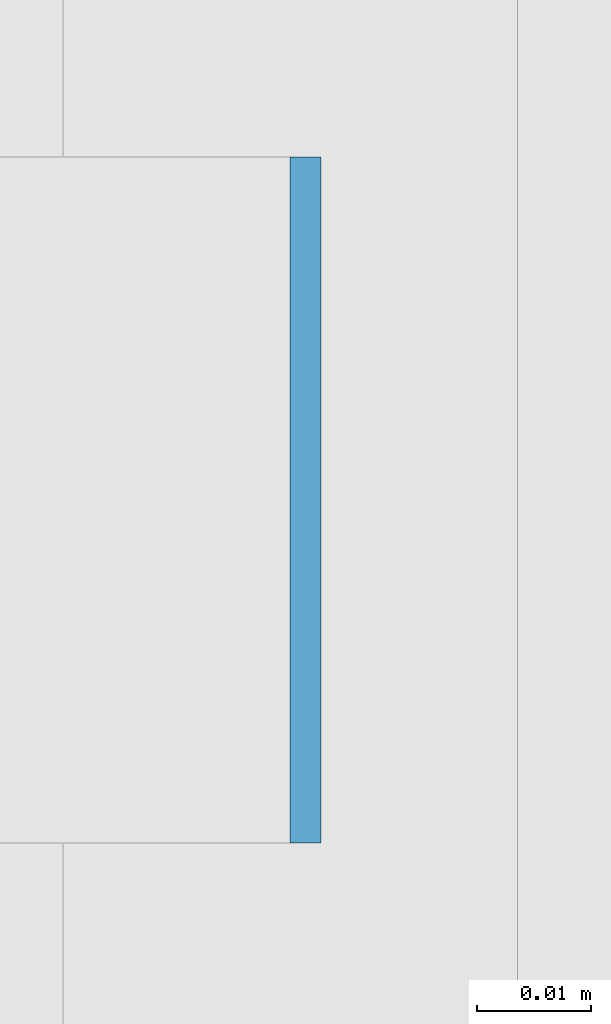
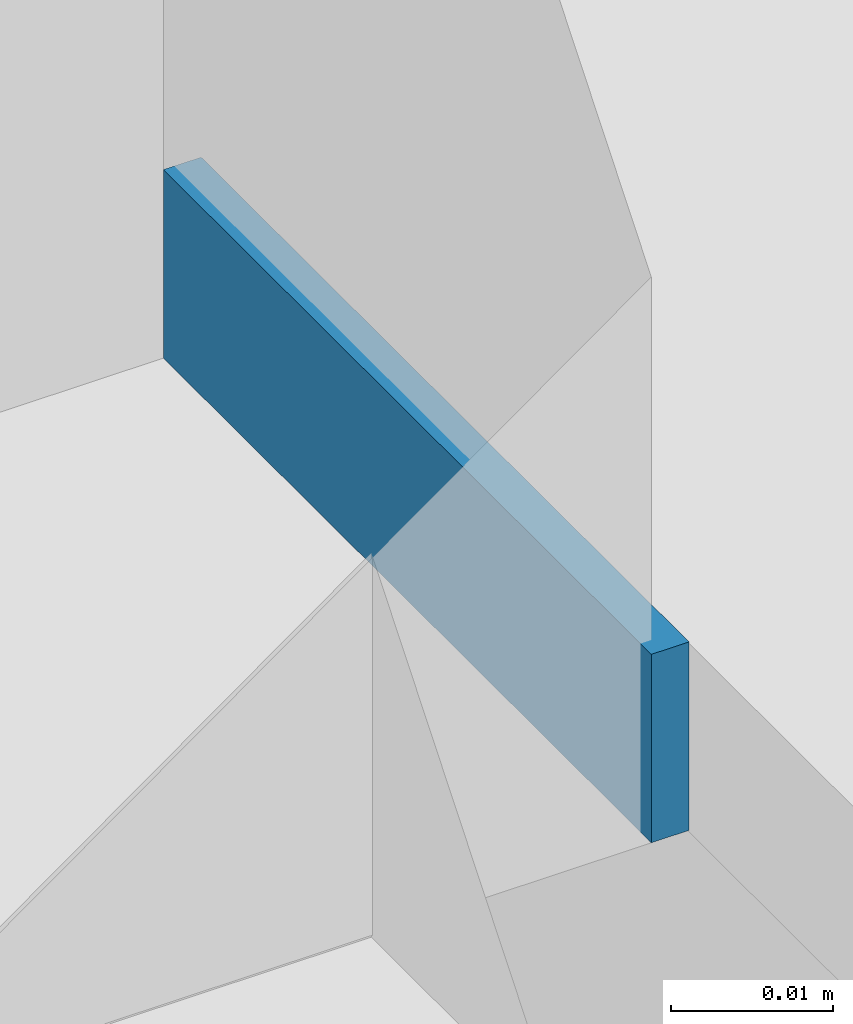
# One storey, part 298 of 646: 1 discrete accessory.
"""IFC4 building model written with IfcOpenShell, lengths in metres."""

from ifc_helpers import new_model, si_unit, direction, frame, origin, origin_2d, place, context, subcontext, project, spatial, rectangle, extrude, material, type_object, element, save


model = new_model("IFC4")

# Units and contexts
model_context = context("Model", 3, precision=1e-05, world=origin(), true_north=direction((0.0, 1.0)))
body_context = subcontext(model_context, "Body", "Model", "MODEL_VIEW")
ifc_project = project(units=[si_unit("LENGTHUNIT", "METRE"), si_unit("AREAUNIT", "SQUARE_METRE"), si_unit("VOLUMEUNIT", "CUBIC_METRE"), si_unit("PLANEANGLEUNIT", "RADIAN"), si_unit("MASSUNIT", "GRAM", prefix="KILO")], contexts=[model_context])

# Site, building, storey
site_placement = place(None, origin())
site = spatial("IfcSite", under=ifc_project, at=site_placement, CompositionType="ELEMENT")
building_placement = place(site_placement, origin())
building = spatial("IfcBuilding", under=site, at=building_placement, Name="Silverbay Arena", CompositionType="ELEMENT")
storey_placement = place(building_placement, frame((0.0, 0.0, 33.5)))
storey = spatial("IfcBuildingStorey", under=building, at=storey_placement, Name="L05", CompositionType="ELEMENT", Elevation=33.5)

# Discrete accessory
ifc_material = material(Name="Steel S355", Category="steel")
discrete_accessory_type = type_object("IfcDiscreteAccessoryType", Name="Steel bracket plate", PredefinedType="BRACKET", material=ifc_material)
discrete_accessory_placement = place(storey_placement, frame((53.871337890625, 61.71435546875, 4.0), z_axis=(0.0, 0.0, 1.0), x_axis=(1.0, 0.0, 0.0)))
element("IfcDiscreteAccessory", 1, at=discrete_accessory_placement, inside=storey, type_object=discrete_accessory_type, Name="Curtain wall packing plate", PredefinedType="BRACKET", context=body_context, shape_type="SweptSolid", body=[
    extrude(rectangle(XDim=0.002685546875, YDim=0.06005859375, at=origin_2d()), origin(), (0.0, 0.0, 1.0), 0.01416015625),
])

save(model, "model.ifc")
